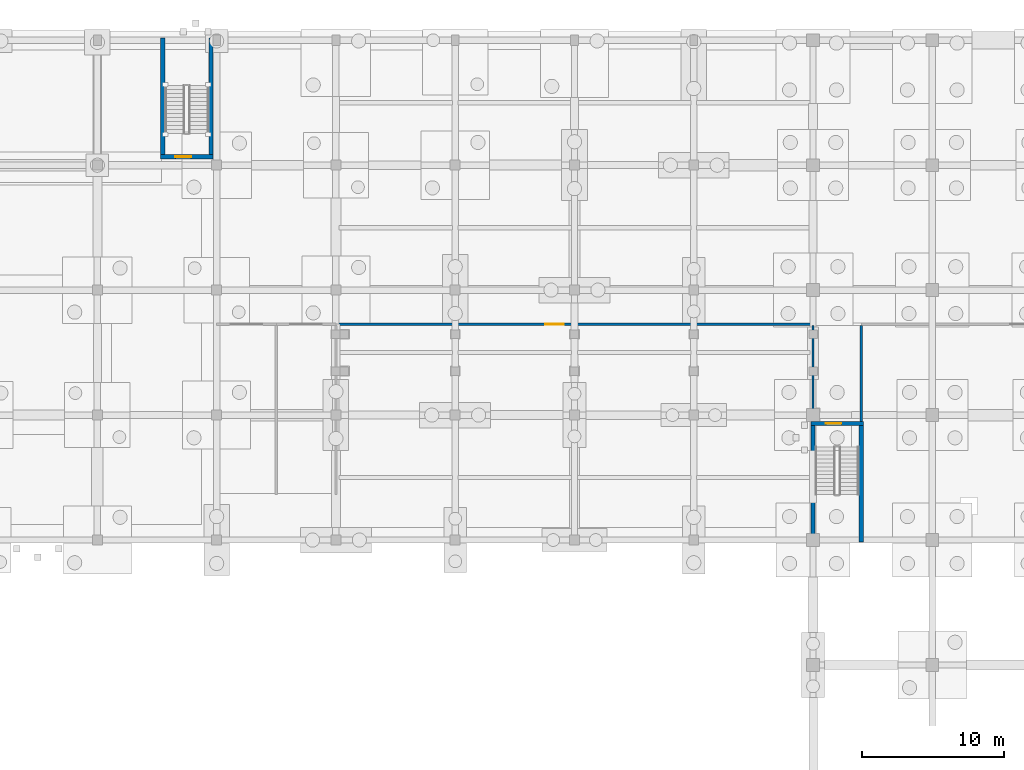
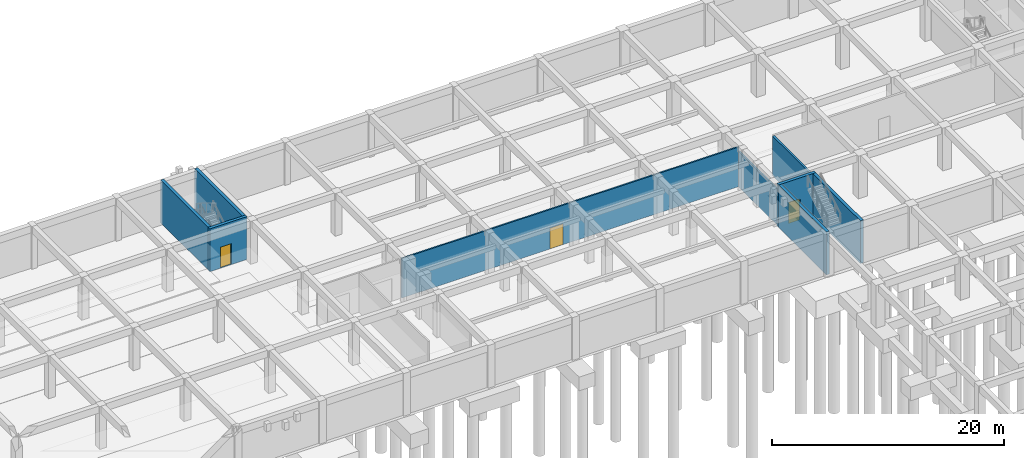
# One storey, part 27 of 41: 9 walls, 3 doors, 3 openings.
"""IFC4 building model written with IfcOpenShell, lengths in metres."""

from ifc_helpers import new_model, si_unit, direction, frame, frame_2d, origin, place, context, subcontext, project, spatial, rectangle, extrude, material, layer, layer_set, type_object, element, fill, save


model = new_model("IFC4")

# Units and contexts
model_context = context("Model", 3, precision=1e-05, world=origin(), true_north=direction((0.0, 1.0)))
body_context = subcontext(model_context, "Body", "Model", "MODEL_VIEW")
ifc_project = project(units=[si_unit("LENGTHUNIT", "METRE"), si_unit("AREAUNIT", "SQUARE_METRE"), si_unit("VOLUMEUNIT", "CUBIC_METRE"), si_unit("PLANEANGLEUNIT", "RADIAN"), si_unit("MASSUNIT", "GRAM", prefix="KILO")], contexts=[model_context])

# Site, building, storey
site_placement = place(None, origin())
site = spatial("IfcSite", under=ifc_project, at=site_placement, CompositionType="ELEMENT")
building_placement = place(site_placement, origin())
building = spatial("IfcBuilding", under=site, at=building_placement, Name="Kemercrest Conservatory and Botanical Centre", CompositionType="ELEMENT")
storey_placement = place(building_placement, frame((0.0, 0.0, -4.5)))
storey = spatial("IfcBuildingStorey", under=building, at=storey_placement, Name="B1", CompositionType="ELEMENT", Elevation=-4.5)

# Wall, opening, door
ifc_material_1 = material(Name="Concrete C50/60", Category="concrete")
ifc_layer_1 = layer(ifc_material_1, 0.300048828125)
ifc_layer_set_1 = layer_set([ifc_layer_1], Name="Concrete C50/60")
wall_type_1 = type_object("IfcWallType", Name="CW-STAIR", PredefinedType="SHEAR", material=ifc_layer_set_1)
wall_1_placement = place(storey_placement, frame((79.64990234375, 114.199951171875, 0.0), z_axis=(0.0, 0.0, 1.0), x_axis=(1.0, 0.0, 0.0)))
wall_1 = element("IfcWall", 1, at=wall_1_placement, inside=storey, type_object=wall_type_1, Name="Stair core ST-V3B shear wall S", PredefinedType="SHEAR", context=body_context, shape_type="SweptSolid", body=[
    extrude(rectangle(XDim=3.7001953125, YDim=0.300048828125, at=frame_2d((1.85009765625, 0.0))), origin(), (0.0, 0.0, 1.0), 4.5),
])
opening_1_placement = place(wall_1_placement, frame((1.050048828125, 0.0, 0.0)))
opening_1 = element("IfcOpeningElement", 2, at=opening_1_placement, cuts=wall_1, Name="Opening D020", PredefinedType="OPENING", context=body_context, shape_type="SweptSolid", body=[
    extrude(rectangle(XDim=1.10009765625, YDim=2.199951171875, at=frame_2d((0.550048828125, 1.10009765625))), frame((0.0, 0.16015625, 0.0), z_axis=(0.0, -1.0, 0.0), x_axis=(1.0, 0.0, 0.0)), (0.0, 0.0, 1.0), 0.320068359375),
])
ifc_material_2 = material(Name="Powder-coated galvanized steel and fire-rated vision glass", Category="steel")
door_type_1 = type_object("IfcDoorType", Name="DT-FD90", OperationType="NOTDEFINED", PredefinedType="DOOR", material=ifc_material_2)
door_1_placement = place(opening_1_placement, origin())
door_1 = element("IfcDoor", 3, at=door_1_placement, inside=storey, type_object=door_type_1, Name="Exit stair ST-V3B fire door D020", OperationType="SINGLE_SWING_RIGHT", OverallHeight=2.199951171875, OverallWidth=1.10009765625, PredefinedType="DOOR", context=body_context, shape_type="SweptSolid", body=[
    extrude(rectangle(XDim=1.10009765625, YDim=2.199951171875, at=frame_2d((0.550048828125, 1.10009765625))), frame((0.0, 0.02490234375, 0.0), z_axis=(0.0, -1.0, 0.0), x_axis=(1.0, 0.0, 0.0)), (0.0, 0.0, 1.0), 0.050048828125),
])
fill(opening_1, door_1)

# Walls
for number, where, z_axis, x_axis, name in (
    (4, (79.800048828125, 114.050048828125, 0.0), (0.0, 0.0, 1.0), (0.0, 1.0, 0.0), "Stair core ST-V3B shear wall W"),
    (5, (83.199951171875, 114.050048828125, 0.0), (0.0, 0.0, 1.0), (0.0, 1.0, 0.0), "Stair core ST-V3B shear wall E"),
):
    element("IfcWall", number, at=place(storey_placement, frame(where, z_axis=z_axis, x_axis=x_axis)), inside=storey, type_object=wall_type_1, Name=name, PredefinedType="SHEAR", context=body_context, shape_type="SweptSolid", body=[
        extrude(rectangle(XDim=8.5, YDim=0.300048828125, at=frame_2d((4.25, 0.0))), origin(), (0.0, 0.0, 1.0), 4.5),
    ])

# Wall, opening, door
wall_2_placement = place(storey_placement, frame((125.449951171875, 95.39990234375, 0.0), z_axis=(0.0, 0.0, 1.0), x_axis=(1.0, 0.0, 0.0)))
wall_2 = element("IfcWall", 6, at=wall_2_placement, inside=storey, type_object=wall_type_1, Name="Stair core ST-V4C shear wall N", PredefinedType="SHEAR", context=body_context, shape_type="SweptSolid", body=[
    extrude(rectangle(XDim=3.699951171875, YDim=0.300048828125, at=frame_2d((1.85009765625, 0.0))), origin(), (0.0, 0.0, 1.0), 4.5),
])
opening_2_placement = place(wall_2_placement, frame((1.050048828125, 0.0, 0.0)))
opening_2 = element("IfcOpeningElement", 7, at=opening_2_placement, cuts=wall_2, Name="Opening D063", PredefinedType="OPENING", context=body_context, shape_type="SweptSolid", body=[
    extrude(rectangle(XDim=1.10009765625, YDim=2.199951171875, at=frame_2d((0.550048828125, 1.10009765625))), frame((0.0, 0.16015625, 0.0), z_axis=(0.0, -1.0, 0.0), x_axis=(1.0, 0.0, 0.0)), (0.0, 0.0, 1.0), 0.320068359375),
])
door_2_placement = place(opening_2_placement, origin())
door_2 = element("IfcDoor", 8, at=door_2_placement, inside=storey, type_object=door_type_1, Name="Exit stair ST-V4C fire door D063", OperationType="SINGLE_SWING_LEFT", OverallHeight=2.199951171875, OverallWidth=1.10009765625, PredefinedType="DOOR", context=body_context, shape_type="SweptSolid", body=[
    extrude(rectangle(XDim=1.10009765625, YDim=2.199951171875, at=frame_2d((0.550048828125, 1.10009765625))), frame((0.0, 0.02490234375, 0.0), z_axis=(0.0, -1.0, 0.0), x_axis=(1.0, 0.0, 0.0)), (0.0, 0.0, 1.0), 0.050048828125),
])
fill(opening_2, door_2)

# Walls
for number, where, z_axis, x_axis, name in (
    (9, (125.60009765625, 87.050048828125, 0.0), (0.0, 0.0, 1.0), (0.0, 1.0, 0.0), "Stair core ST-V4C shear wall W"),
    (10, (129.0, 87.050048828125, 0.0), (0.0, 0.0, 1.0), (0.0, 1.0, 0.0), "Stair core ST-V4C shear wall E"),
):
    element("IfcWall", number, at=place(storey_placement, frame(where, z_axis=z_axis, x_axis=x_axis)), inside=storey, type_object=wall_type_1, Name=name, PredefinedType="SHEAR", context=body_context, shape_type="SweptSolid", body=[
        extrude(rectangle(XDim=8.5, YDim=0.300048828125, at=frame_2d((4.25, 0.0))), origin(), (0.0, 0.0, 1.0), 4.5),
    ])
ifc_material_3 = material(Name="Concrete C40/50", Category="concrete")
ifc_layer_2 = layer(ifc_material_3, 0.199951171875)
ifc_layer_set_2 = layer_set([ifc_layer_2], Name="Concrete C40/50")
wall_type_2 = type_object("IfcWallType", Name="W-FIRE", PredefinedType="PARTITIONING", material=ifc_layer_set_2)
wall_3_placement = place(storey_placement, frame((129.0, 95.554931640625, 0.0), z_axis=(0.0, 0.0, 1.0), x_axis=(0.0, 1.0, 0.0)))
element("IfcWall", 11, at=wall_3_placement, inside=storey, type_object=wall_type_2, Name="Interior partition W-FIRE #11", PredefinedType="PARTITIONING", context=body_context, shape_type="SweptSolid", body=[
    extrude(rectangle(XDim=6.739990234375, YDim=0.199951171875, at=frame_2d((3.3701171875, 0.0))), origin(), (0.0, 0.0, 1.0), 4.1650390625),
])

# Wall, opening, door
ifc_material_4 = material(Name="Steel-stud gypsum board partition", Category="steel")
ifc_layer_3 = layer(ifc_material_4, 0.14990234375)
ifc_layer_set_3 = layer_set([ifc_layer_3], Name="Steel-stud gypsum board partition")
wall_type_3 = type_object("IfcWallType", Name="W-PART150", PredefinedType="PARTITIONING", material=ifc_layer_set_3)
wall_4_placement = place(storey_placement, frame((92.0, 102.39990234375, 0.0), z_axis=(0.0, 0.0, 1.0), x_axis=(1.0, 0.0, 0.0)))
wall_4 = element("IfcWall", 12, at=wall_4_placement, inside=storey, type_object=wall_type_3, Name="Interior partition W-PART150 #5", PredefinedType="PARTITIONING", context=body_context, shape_type="SweptSolid", body=[
    extrude(rectangle(XDim=33.60009765625, YDim=0.14990234375, at=frame_2d((16.800048828125, 0.0))), origin(), (0.0, 0.0, 1.0), 4.1650390625),
])
opening_3_placement = place(wall_4_placement, frame((14.739990234375, 0.0, 0.0)))
opening_3 = element("IfcOpeningElement", 13, at=opening_3_placement, cuts=wall_4, Name="Opening D109", PredefinedType="OPENING", context=body_context, shape_type="SweptSolid", body=[
    extrude(rectangle(XDim=1.320068359375, YDim=2.199951171875, at=frame_2d((0.66015625, 1.10009765625))), frame((0.0, 0.0849609375, 0.0), z_axis=(0.0, -1.0, 0.0), x_axis=(1.0, 0.0, 0.0)), (0.0, 0.0, 1.0), 0.169921875),
])
ifc_material_5 = material(Name="FSC solid-core white oak veneer and anodized aluminium frame", Category="aluminium")
door_type_2 = type_object("IfcDoorType", Name="DT-15", OperationType="SLIDING_TO_LEFT", PredefinedType="DOOR", material=ifc_material_5)
door_3_placement = place(opening_3_placement, origin())
door_3 = element("IfcDoor", 14, at=door_3_placement, inside=storey, type_object=door_type_2, Name="Phytosanitary Freezer Quarantine Suite door D109", OperationType="SLIDING_TO_LEFT", OverallHeight=2.199951171875, OverallWidth=1.320068359375, PredefinedType="DOOR", context=body_context, shape_type="SweptSolid", body=[
    extrude(rectangle(XDim=1.320068359375, YDim=2.199951171875, at=frame_2d((0.66015625, 1.10009765625))), frame((0.0, 0.02490234375, 0.0), z_axis=(0.0, -1.0, 0.0), x_axis=(1.0, 0.0, 0.0)), (0.0, 0.0, 1.0), 0.050048828125),
])
fill(opening_3, door_3)

# Wall
wall_5_placement = place(storey_placement, frame((125.60009765625, 95.554931640625, 0.0), z_axis=(0.0, 0.0, 1.0), x_axis=(0.0, 1.0, 0.0)))
element("IfcWall", 15, at=wall_5_placement, inside=storey, type_object=wall_type_3, Name="Interior partition W-PART150 #10", PredefinedType="PARTITIONING", context=body_context, shape_type="SweptSolid", body=[
    extrude(rectangle(XDim=6.76513671875, YDim=0.14990234375, at=frame_2d((3.382568359375, 0.0))), origin(), (0.0, 0.0, 1.0), 3.7451171875),
])

save(model, "model.ifc")
